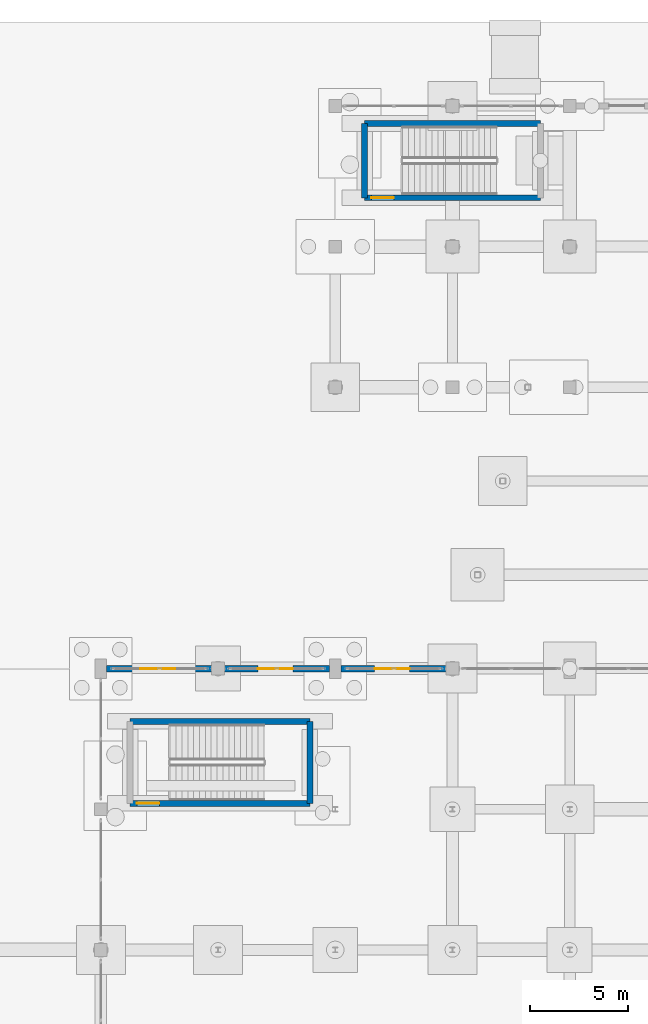
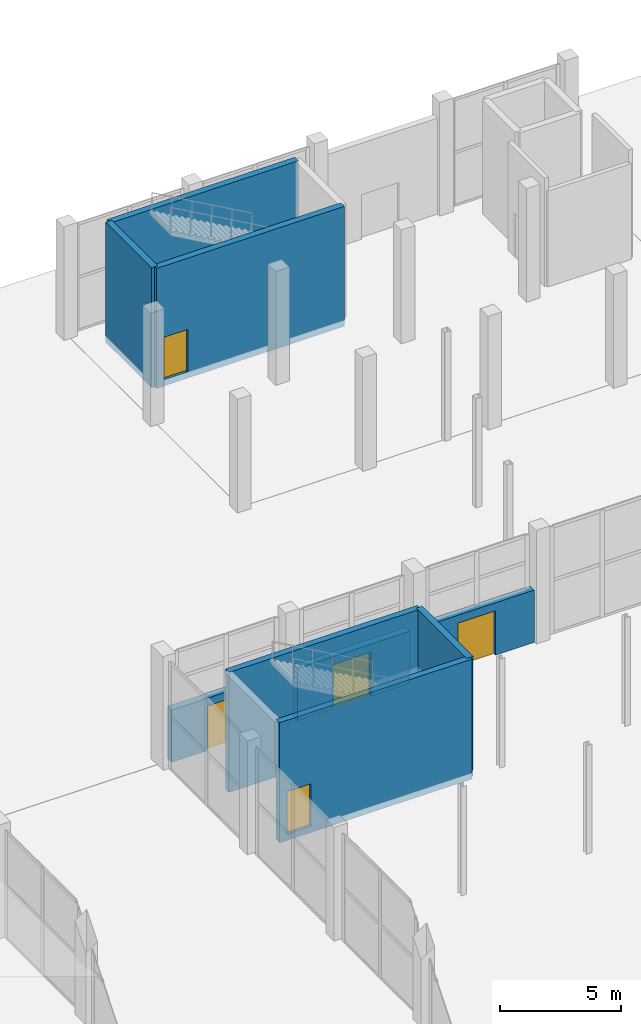
# One storey, part 82 of 103: 9 walls, 5 doors, 5 openings.
"""IFC4 building model written with IfcOpenShell, lengths in metres."""

from ifc_helpers import new_model, si_unit, direction, frame, frame_2d, origin, place, context, subcontext, project, spatial, rectangle, extrude, material, layer, layer_set, type_object, element, fill, save


model = new_model("IFC4")

# Units and contexts
model_context = context("Model", 3, precision=1e-05, world=origin(), true_north=direction((0.0, 1.0)))
body_context = subcontext(model_context, "Body", "Model", "MODEL_VIEW")
ifc_project = project(units=[si_unit("LENGTHUNIT", "METRE"), si_unit("AREAUNIT", "SQUARE_METRE"), si_unit("VOLUMEUNIT", "CUBIC_METRE"), si_unit("PLANEANGLEUNIT", "RADIAN"), si_unit("MASSUNIT", "GRAM", prefix="KILO")], contexts=[model_context])

# Site, building, storey
site_placement = place(None, origin())
site = spatial("IfcSite", under=ifc_project, at=site_placement, CompositionType="ELEMENT")
building_placement = place(site_placement, origin())
building = spatial("IfcBuilding", under=site, at=building_placement, Name="Dunvalen Ferry Terminal", CompositionType="ELEMENT")
storey_placement = place(building_placement, origin())
storey = spatial("IfcBuildingStorey", under=building, at=storey_placement, Name="L00", CompositionType="ELEMENT", Elevation=0.0)

# Wall, opening, door
ifc_material_1 = material(Name="Precast concrete C40/50", Category="concrete")
ifc_layer_1 = layer(ifc_material_1, 0.340087890625, Name="Precast concrete C40/50")
ifc_layer_set_1 = layer_set([ifc_layer_1], Name="Precast concrete C40/50")
wall_type_1 = type_object("IfcWallType", Name="ENV-WL-SPN340", PredefinedType="SOLIDWALL", material=ifc_layer_set_1)
wall_1_placement = place(storey_placement, frame((108.302001953125, 86.39990234375, 0.0), z_axis=(0.0, 0.0, 1.0), x_axis=(1.0, 0.0, 0.0)))
wall_1 = element("IfcWall", 1, at=wall_1_placement, inside=storey, type_object=wall_type_1, Name="L00 Arrivals Hall Quay Storefront Portal Wall 01", PredefinedType="SOLIDWALL", context=body_context, shape_type="SweptSolid", body=[
    extrude(rectangle(XDim=5.37109375, YDim=0.340087890625, at=frame_2d((2.685546875, 0.0))), origin(), (0.0, 0.0, 1.0), 2.64990234375),
])
opening_1_placement = place(wall_1_placement, frame((1.70947265625, 0.0, 0.0)))
opening_1 = element("IfcOpeningElement", 2, at=opening_1_placement, cuts=wall_1, Name="Opening ED-03", PredefinedType="OPENING", context=body_context, shape_type="SweptSolid", body=[
    extrude(rectangle(XDim=1.800048828125, YDim=2.25, at=frame_2d((0.89990234375, 1.125))), frame((0.0, 0.18017578125, 0.0), z_axis=(0.0, -1.0, 0.0), x_axis=(1.0, 0.0, 0.0)), (0.0, 0.0, 1.0), 0.360107421875),
])
ifc_material_2 = material(Name="Marine grade powder-coated aluminium and laminated glass", Category="aluminium")
door_type_1 = type_object("IfcDoorType", Name="ENV-DR-EXT-1800", OperationType="DOUBLE_SWING_LEFT", PredefinedType="DOOR", material=ifc_material_2)
door_1_placement = place(opening_1_placement, origin())
door_1 = element("IfcDoor", 3, at=door_1_placement, inside=storey, type_object=door_type_1, Name="L00 Arrivals Hall Quay Promenade Exit Door 01", OperationType="DOUBLE_SWING_LEFT", OverallHeight=2.25, OverallWidth=1.800048828125, PredefinedType="DOOR", context=body_context, shape_type="SweptSolid", body=[
    extrude(rectangle(XDim=1.800048828125, YDim=2.25, at=frame_2d((0.89990234375, 1.125))), frame((0.0, 0.02490234375, 0.0), z_axis=(0.0, -1.0, 0.0), x_axis=(1.0, 0.0, 0.0)), (0.0, 0.0, 1.0), 0.050048828125),
])
fill(opening_1, door_1)

wall_2_placement = place(storey_placement, frame((114.326904296875, 86.39990234375, 0.0), z_axis=(0.0, 0.0, 1.0), x_axis=(1.0, 0.0, 0.0)))
wall_2 = element("IfcWall", 4, at=wall_2_placement, inside=storey, type_object=wall_type_1, Name="L00 Arrivals Hall Quay Storefront Portal Wall 02", PredefinedType="SOLIDWALL", context=body_context, shape_type="SweptSolid", body=[
    extrude(rectangle(XDim=5.37109375, YDim=0.340087890625, at=frame_2d((2.685546875, 0.0))), origin(), (0.0, 0.0, 1.0), 2.64990234375),
])
opening_2_placement = place(wall_2_placement, frame((1.70947265625, 0.0, 0.0)))
opening_2 = element("IfcOpeningElement", 5, at=opening_2_placement, cuts=wall_2, Name="Opening ED-03", PredefinedType="OPENING", context=body_context, shape_type="SweptSolid", body=[
    extrude(rectangle(XDim=1.800048828125, YDim=2.25, at=frame_2d((0.89990234375, 1.125))), frame((0.0, 0.18017578125, 0.0), z_axis=(0.0, -1.0, 0.0), x_axis=(1.0, 0.0, 0.0)), (0.0, 0.0, 1.0), 0.360107421875),
])
door_2_placement = place(opening_2_placement, origin())
door_2 = element("IfcDoor", 6, at=door_2_placement, inside=storey, type_object=door_type_1, Name="L00 Arrivals Hall Quay Promenade Exit Door 02", OperationType="DOUBLE_SWING_LEFT", OverallHeight=2.25, OverallWidth=1.800048828125, PredefinedType="DOOR", context=body_context, shape_type="SweptSolid", body=[
    extrude(rectangle(XDim=1.800048828125, YDim=2.25, at=frame_2d((0.89990234375, 1.125))), frame((0.0, 0.02490234375, 0.0), z_axis=(0.0, -1.0, 0.0), x_axis=(1.0, 0.0, 0.0)), (0.0, 0.0, 1.0), 0.050048828125),
])
fill(opening_2, door_2)

wall_3_placement = place(storey_placement, frame((120.302001953125, 86.39990234375, 0.0), z_axis=(0.0, 0.0, 1.0), x_axis=(1.0, 0.0, 0.0)))
wall_3 = element("IfcWall", 7, at=wall_3_placement, inside=storey, type_object=wall_type_1, Name="L00 Arrivals Hall Quay Storefront Portal Wall 03", PredefinedType="SOLIDWALL", context=body_context, shape_type="SweptSolid", body=[
    extrude(rectangle(XDim=5.37109375, YDim=0.340087890625, at=frame_2d((2.685546875, 0.0))), origin(), (0.0, 0.0, 1.0), 2.64990234375),
])
opening_3_placement = place(wall_3_placement, frame((1.70947265625, 0.0, 0.0)))
opening_3 = element("IfcOpeningElement", 8, at=opening_3_placement, cuts=wall_3, Name="Opening ED-03", PredefinedType="OPENING", context=body_context, shape_type="SweptSolid", body=[
    extrude(rectangle(XDim=1.800048828125, YDim=2.25, at=frame_2d((0.89990234375, 1.125))), frame((0.0, 0.18017578125, 0.0), z_axis=(0.0, -1.0, 0.0), x_axis=(1.0, 0.0, 0.0)), (0.0, 0.0, 1.0), 0.360107421875),
])
door_3_placement = place(opening_3_placement, origin())
door_3 = element("IfcDoor", 9, at=door_3_placement, inside=storey, type_object=door_type_1, Name="L00 Arrivals Hall Quay Promenade Exit Door 03", OperationType="DOUBLE_SWING_LEFT", OverallHeight=2.25, OverallWidth=1.800048828125, PredefinedType="DOOR", context=body_context, shape_type="SweptSolid", body=[
    extrude(rectangle(XDim=1.800048828125, YDim=2.25, at=frame_2d((0.89990234375, 1.125))), frame((0.0, 0.02490234375, 0.0), z_axis=(0.0, -1.0, 0.0), x_axis=(1.0, 0.0, 0.0)), (0.0, 0.0, 1.0), 0.050048828125),
])
fill(opening_3, door_3)

# Walls
ifc_material_3 = material(Name="Concrete C40/50", Category="concrete")
ifc_layer_2 = layer(ifc_material_3, 0.300048828125, Name="Concrete C40/50")
ifc_layer_set_2 = layer_set([ifc_layer_2], Name="Concrete C40/50")
wall_type_2 = type_object("IfcWallType", Name="STR-WL-SHR300", PredefinedType="SHEAR", material=ifc_layer_set_2)
wall_4_placement = place(storey_placement, frame((118.699951171875, 79.5, -0.320068359375), z_axis=(0.0, 0.0, 1.0), x_axis=(0.0, 1.0, 0.0)))
element("IfcWall", 10, at=wall_4_placement, inside=storey, type_object=wall_type_2, Name="L00 ST10 Core East Shear Wall", PredefinedType="SHEAR", context=body_context, shape_type="SweptSolid", body=[
    extrude(rectangle(XDim=4.199951171875, YDim=0.300048828125, at=frame_2d((2.10009765625, 0.0))), origin(), (0.0, 0.0, 1.0), 6.080078125),
])
wall_5_placement = place(storey_placement, frame((121.5, 110.5, -0.320068359375), z_axis=(0.0, 0.0, 1.0), x_axis=(0.0, 1.0, 0.0)))
element("IfcWall", 11, at=wall_5_placement, inside=storey, type_object=wall_type_2, Name="L00 ST12 Core West Shear Wall", PredefinedType="SHEAR", context=body_context, shape_type="SweptSolid", body=[
    extrude(rectangle(XDim=3.800048828125, YDim=0.300048828125, at=frame_2d((1.89990234375, 0.0))), origin(), (0.0, 0.0, 1.0), 6.080078125),
])
wall_6_placement = place(storey_placement, frame((109.5, 83.699951171875, -0.320068359375), z_axis=(0.0, 0.0, 1.0), x_axis=(1.0, 0.0, 0.0)))
element("IfcWall", 12, at=wall_6_placement, inside=storey, type_object=wall_type_2, Name="L00 ST10 Core North Shear Wall", PredefinedType="SHEAR", context=body_context, shape_type="SweptSolid", body=[
    extrude(rectangle(XDim=9.199951171875, YDim=0.300048828125, at=frame_2d((4.60009765625, 0.0))), origin(), (0.0, 0.0, 1.0), 6.080078125),
])

# Wall, opening, door
wall_7_placement = place(storey_placement, frame((109.5, 79.5, -0.320068359375), z_axis=(0.0, 0.0, 1.0), x_axis=(1.0, 0.0, 0.0)))
wall_7 = element("IfcWall", 13, at=wall_7_placement, inside=storey, type_object=wall_type_2, Name="L00 ST10 Core South Shear Wall", PredefinedType="SHEAR", context=body_context, shape_type="SweptSolid", body=[
    extrude(rectangle(XDim=9.199951171875, YDim=0.300048828125, at=frame_2d((4.60009765625, 0.0))), origin(), (0.0, 0.0, 1.0), 6.080078125),
])
opening_4_placement = place(wall_7_placement, frame((0.35009765625, 0.0, 0.320068359375)))
opening_4 = element("IfcOpeningElement", 14, at=opening_4_placement, cuts=wall_7, Name="Opening ID-02", PredefinedType="OPENING", context=body_context, shape_type="SweptSolid", body=[
    extrude(rectangle(XDim=1.14990234375, YDim=2.14990234375, at=frame_2d((0.574951171875, 1.074951171875))), frame((0.0, 0.16015625, 0.0), z_axis=(0.0, -1.0, 0.0), x_axis=(1.0, 0.0, 0.0)), (0.0, 0.0, 1.0), 0.320068359375),
])
ifc_material_4 = material(Name="Powder-coated steel fire door", Category="steel")
door_type_2 = type_object("IfcDoorType", Name="INT-DR-STR-1150", OperationType="NOTDEFINED", PredefinedType="DOOR", material=ifc_material_4)
door_4_placement = place(opening_4_placement, frame((1.14990234375, 0.0, 0.0), z_axis=(0.0, 0.0, 1.0), x_axis=(-1.0, 0.0, 0.0)))
door_4 = element("IfcDoor", 15, at=door_4_placement, inside=storey, type_object=door_type_2, Name="L00 ST10 Escape Stair Fire Door", OperationType="SINGLE_SWING_RIGHT", OverallHeight=2.14990234375, OverallWidth=1.14990234375, PredefinedType="DOOR", context=body_context, shape_type="SweptSolid", body=[
    extrude(rectangle(XDim=1.14990234375, YDim=2.14990234375, at=frame_2d((0.574951171875, 1.074951171875))), frame((0.0, 0.02490234375, 0.0), z_axis=(0.0, -1.0, 0.0), x_axis=(1.0, 0.0, 0.0)), (0.0, 0.0, 1.0), 0.050048828125),
])
fill(opening_4, door_4)

# Wall
wall_8_placement = place(storey_placement, frame((121.5, 114.300048828125, -0.320068359375), z_axis=(0.0, 0.0, 1.0), x_axis=(1.0, 0.0, 0.0)))
element("IfcWall", 16, at=wall_8_placement, inside=storey, type_object=wall_type_2, Name="L00 ST12 Core North Shear Wall", PredefinedType="SHEAR", context=body_context, shape_type="SweptSolid", body=[
    extrude(rectangle(XDim=9.0, YDim=0.300048828125, at=frame_2d((4.5, 0.0))), origin(), (0.0, 0.0, 1.0), 6.080078125),
])

# Wall, opening, door
wall_9_placement = place(storey_placement, frame((121.5, 110.5, -0.320068359375), z_axis=(0.0, 0.0, 1.0), x_axis=(1.0, 0.0, 0.0)))
wall_9 = element("IfcWall", 17, at=wall_9_placement, inside=storey, type_object=wall_type_2, Name="L00 ST12 Core South Shear Wall", PredefinedType="SHEAR", context=body_context, shape_type="SweptSolid", body=[
    extrude(rectangle(XDim=9.0, YDim=0.300048828125, at=frame_2d((4.5, 0.0))), origin(), (0.0, 0.0, 1.0), 6.080078125),
])
opening_5_placement = place(wall_9_placement, frame((0.35009765625, 0.0, 0.320068359375)))
opening_5 = element("IfcOpeningElement", 18, at=opening_5_placement, cuts=wall_9, Name="Opening ID-02", PredefinedType="OPENING", context=body_context, shape_type="SweptSolid", body=[
    extrude(rectangle(XDim=1.14990234375, YDim=2.14990234375, at=frame_2d((0.574951171875, 1.074951171875))), frame((0.0, 0.16015625, 0.0), z_axis=(0.0, -1.0, 0.0), x_axis=(1.0, 0.0, 0.0)), (0.0, 0.0, 1.0), 0.320068359375),
])
door_5_placement = place(opening_5_placement, frame((1.14990234375, 0.0, 0.0), z_axis=(0.0, 0.0, 1.0), x_axis=(-1.0, 0.0, 0.0)))
door_5 = element("IfcDoor", 19, at=door_5_placement, inside=storey, type_object=door_type_2, Name="L00 ST12 Escape Stair Fire Door", OperationType="SINGLE_SWING_RIGHT", OverallHeight=2.14990234375, OverallWidth=1.14990234375, PredefinedType="DOOR", context=body_context, shape_type="SweptSolid", body=[
    extrude(rectangle(XDim=1.14990234375, YDim=2.14990234375, at=frame_2d((0.574951171875, 1.074951171875))), frame((0.0, 0.02490234375, 0.0), z_axis=(0.0, -1.0, 0.0), x_axis=(1.0, 0.0, 0.0)), (0.0, 0.0, 1.0), 0.050048828125),
])
fill(opening_5, door_5)

save(model, "model.ifc")
